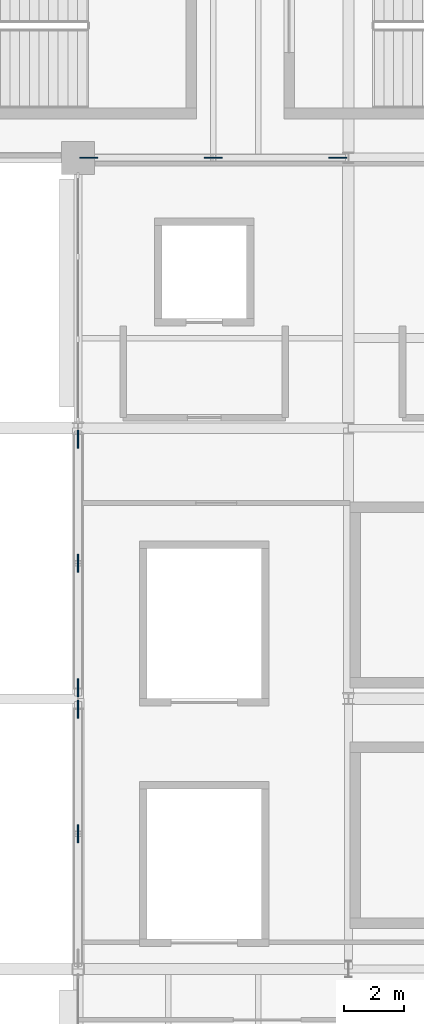
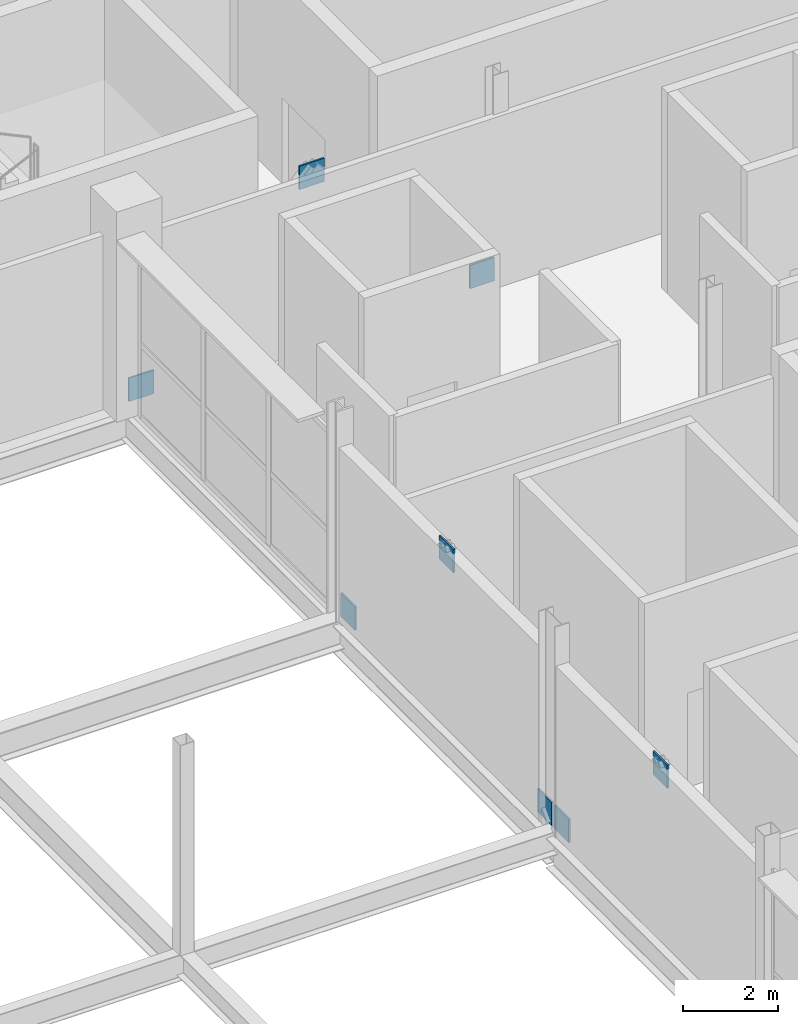
# One storey, part 85 of 119: 8 plates.
"""IFC4 building model written with IfcOpenShell, lengths in metres."""

from ifc_helpers import new_model, si_unit, direction, frame, origin, origin_2d, place, context, subcontext, project, spatial, rectangle, extrude, material, layer, layer_set, type_object, element, save


model = new_model("IFC4")

# Units and contexts
model_context = context("Model", 3, precision=1e-05, world=origin(), true_north=direction((0.0, 1.0)))
body_context = subcontext(model_context, "Body", "Model", "MODEL_VIEW")
ifc_project = project(units=[si_unit("LENGTHUNIT", "METRE"), si_unit("AREAUNIT", "SQUARE_METRE"), si_unit("VOLUMEUNIT", "CUBIC_METRE"), si_unit("PLANEANGLEUNIT", "RADIAN"), si_unit("MASSUNIT", "GRAM", prefix="KILO")], contexts=[model_context])

# Site, building, storey
site_placement = place(None, origin())
site = spatial("IfcSite", under=ifc_project, at=site_placement, CompositionType="ELEMENT")
building_placement = place(site_placement, origin())
building = spatial("IfcBuilding", under=site, at=building_placement, Name="Qamarlyn Nura Convention Centre", CompositionType="ELEMENT")
storey_placement = place(building_placement, frame((0.0, 0.0, 5.39990234375)))
storey = spatial("IfcBuildingStorey", under=building, at=storey_placement, Name="L01", CompositionType="ELEMENT", Elevation=5.39990234375)

# Plates
ifc_material = material(Name="Structural steel ASTM A572 Grade 50", Category="steel")
ifc_layer = layer(ifc_material, 0.044921875, Name="GP-TN1")
ifc_layer_set = layer_set([ifc_layer], Name="Structural steel ASTM A572 Grade 50")
plate_type = type_object("IfcPlateType", Name="GP-TN1", PredefinedType="USERDEFINED", material=ifc_layer_set)
for number, where, z_axis, x_axis, name in (
    (1, (153.0, 63.360107421875, 0.0), (0.0, 0.0, 1.0), (0.0, 1.0, 0.0), "SCBF chevron brace gusset plate CBF-E2-L01-A"),
    (2, (153.0, 71.639892578125, 0.0), (0.0, 0.0, 1.0), (0.0, 1.0, 0.0), "SCBF chevron brace gusset plate CBF-E2-L01-B"),
    (3, (153.0, 67.5, 3.985107421875), (0.0, 0.0, 1.0), (0.0, 1.0, 0.0), "SCBF chevron brace gusset plate CBF-E2-L01-M"),
    (4, (153.0, 62.639892578125, 0.0), (0.0, 0.0, 1.0), (0.0, 1.0, 0.0), "SCBF chevron brace gusset plate CBF-E3-L01-B"),
    (5, (153.0, 58.5, 3.906982421875), (0.0, 0.0, 1.0), (0.0, 1.0, 0.0), "SCBF chevron brace gusset plate CBF-E3-L01-M"),
    (6, (153.360107421875, 81.0, 0.0), (0.0, 0.0, 1.0), (1.0, 0.0, 0.0), "SCBF chevron brace gusset plate CBF-N1-L01-A"),
    (7, (161.639892578125, 81.0, 0.0), (0.0, 0.0, 1.0), (1.0, 0.0, 0.0), "SCBF chevron brace gusset plate CBF-N1-L01-B"),
    (8, (157.5, 81.0, 3.99609375), (0.0, 0.0, 1.0), (1.0, 0.0, 0.0), "SCBF chevron brace gusset plate CBF-N1-L01-M"),
):
    element("IfcPlate", number, at=place(storey_placement, frame(where, z_axis=z_axis, x_axis=x_axis)), inside=storey, type_object=plate_type, Name=name, ObjectType="GUSSET PLATE", PredefinedType="USERDEFINED", context=body_context, shape_type="SweptSolid", body=[
        extrude(rectangle(XDim=0.60009765625, YDim=0.044921875, at=origin_2d()), origin(), (0.0, 0.0, 1.0), 0.60009765625),
    ])

save(model, "model.ifc")
